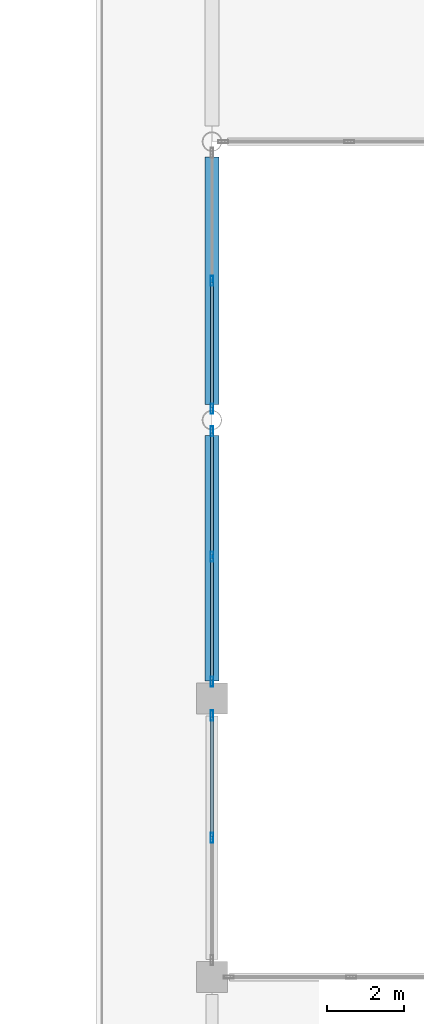
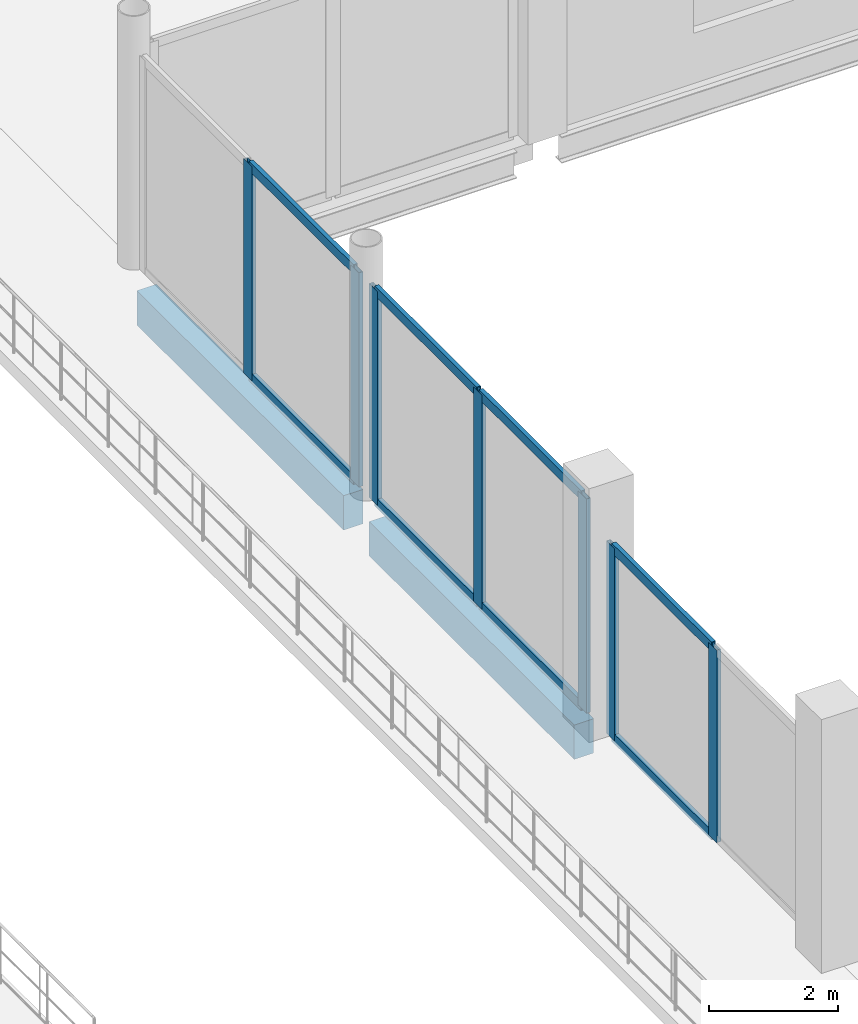
# One storey, part 22 of 99: 15 members, 2 beams, 3 elements without a shape of their own.
"""IFC4 building model written with IfcOpenShell, lengths in metres."""

from ifc_helpers import new_model, si_unit, direction, frame, origin, origin_2d, place, context, subcontext, project, spatial, rectangle, hollow_rectangle, extrude, material, material_profile, profile_set, type_object, element, aggregate, save


model = new_model("IFC4")

# Units and contexts
model_context = context("Model", 3, precision=1e-05, world=origin(), true_north=direction((0.0, 1.0)))
body_context = subcontext(model_context, "Body", "Model", "MODEL_VIEW")
ifc_project = project(units=[si_unit("LENGTHUNIT", "METRE"), si_unit("AREAUNIT", "SQUARE_METRE"), si_unit("VOLUMEUNIT", "CUBIC_METRE"), si_unit("PLANEANGLEUNIT", "RADIAN"), si_unit("MASSUNIT", "GRAM", prefix="KILO")], contexts=[model_context])

# Site, building, storey
site_placement = place(None, origin())
site = spatial("IfcSite", under=ifc_project, at=site_placement, CompositionType="ELEMENT")
building_placement = place(site_placement, origin())
building = spatial("IfcBuilding", under=site, at=building_placement, Name="Vesperath Aquatics Centre", CompositionType="ELEMENT")
storey_placement = place(building_placement, frame((0.0, 0.0, 5.39990234375)))
storey = spatial("IfcBuildingStorey", under=building, at=storey_placement, Name="L01", CompositionType="ELEMENT", Elevation=5.39990234375)

# Beams
ifc_material_1 = material(Name="Concrete C35", Category="concrete")
ifc_material_profile_1 = material_profile(ifc_material_1, rectangle(XDim=0.35009765625, YDim=0.64990234375, at=origin_2d()), Name="RC 350x650")
ifc_profile_set_1 = profile_set([ifc_material_profile_1], Name="Concrete C35")
beam_type = type_object("IfcBeamType", Name="BM-G05", PredefinedType="BEAM", material=ifc_profile_set_1)
beam_1_placement = place(storey_placement, frame((115.199951171875, 50.85009765625, -0.5849609375), z_axis=(0.0, 1.0, 0.0), x_axis=(-1.0, 0.0, 0.0)))
element("IfcBeam", 1, at=beam_1_placement, inside=storey, type_object=beam_type, Name="Floor Girder B05 L01 17 H-J", PredefinedType="BEAM", context=body_context, shape_type="SweptSolid", body=[
    extrude(rectangle(XDim=0.35009765625, YDim=0.64990234375, at=origin_2d()), origin(), (0.0, 0.0, 1.0), 6.349853515625),
])
beam_2_placement = place(storey_placement, frame((115.199951171875, 58.0, -0.5849609375), z_axis=(0.0, 1.0, 0.0), x_axis=(-1.0, 0.0, 0.0)))
element("IfcBeam", 2, at=beam_2_placement, inside=storey, type_object=beam_type, Name="Floor Girder B05 L01 17 J-K", PredefinedType="BEAM", context=body_context, shape_type="SweptSolid", body=[
    extrude(rectangle(XDim=0.35009765625, YDim=0.64990234375, at=origin_2d()), origin(), (0.0, 0.0, 1.0), 6.39990234375),
])

# Curtain wall, members
ifc_material_2 = material(Name="Thermally broken anodised bronze aluminium curtain wall", Category="aluminium")
curtain_wall_type_1 = type_object("IfcCurtainWallType", Name="CW-02", PredefinedType="NOTDEFINED", material=ifc_material_2)
curtain_wall_1_placement = place(storey_placement, origin())
curtain_wall_1 = element("IfcCurtainWall", 3, at=curtain_wall_1_placement, inside=storey, type_object=curtain_wall_type_1, Name="Facade Curtain Wall CW02 L01_E_16_06", PredefinedType="NOTDEFINED")
ifc_material_3 = material(Name="Thermally broken anodised aluminium", Category="aluminium")
ifc_material_profile_2 = material_profile(ifc_material_3, hollow_rectangle(XDim=0.074951171875, YDim=0.260009765625, WallThickness=0.006103515625, at=origin_2d()), Name="CWM 75x260x6")
ifc_profile_set_2 = profile_set([ifc_material_profile_2], Name="Thermally broken anodised aluminium")
member_type_1 = type_object("IfcMemberType", Name="MB-CWM1", PredefinedType="MULLION", material=ifc_profile_set_2)
member_1_placement = place(storey_placement, frame((115.199951171875, 46.800048828125, 0.0), z_axis=(0.0, 0.0, 1.0), x_axis=(-1.0, 0.0, 0.0)))
member_1 = element("IfcMember", 4, at=member_1_placement, type_object=member_type_1, Name="CW02 mullion 2", PredefinedType="MULLION", context=body_context, shape_type="SweptSolid", body=[
    extrude(hollow_rectangle(XDim=0.074951171875, YDim=0.260009765625, WallThickness=0.006103515625, at=origin_2d()), origin(), (0.0, 0.0, 1.0), 3.64013671875),
])
member_2_placement = place(storey_placement, frame((115.199951171875, 49.96240234375, 0.0), z_axis=(0.0, 0.0, 1.0), x_axis=(-1.0, 0.0, 0.0)))
member_2 = element("IfcMember", 5, at=member_2_placement, type_object=member_type_1, Name="CW02 mullion 3", PredefinedType="MULLION", context=body_context, shape_type="SweptSolid", body=[
    extrude(hollow_rectangle(XDim=0.074951171875, YDim=0.260009765625, WallThickness=0.006103515625, at=origin_2d()), origin(), (0.0, 0.0, 1.0), 3.64013671875),
])

curtain_wall_type_2 = type_object("IfcCurtainWallType", Name="CW-06", PredefinedType="NOTDEFINED", material=ifc_material_2)
curtain_wall_2_placement = place(storey_placement, origin())
curtain_wall_2 = element("IfcCurtainWall", 6, at=curtain_wall_2_placement, inside=storey, type_object=curtain_wall_type_2, Name="Facade Curtain Wall CW06 L01_E_16_07", PredefinedType="NOTDEFINED")
member_3_placement = place(storey_placement, frame((115.199951171875, 50.83740234375, 0.0), z_axis=(0.0, 0.0, 1.0), x_axis=(-1.0, 0.0, 0.0)))
member_3 = element("IfcMember", 7, at=member_3_placement, type_object=member_type_1, Name="CW06 mullion 1", PredefinedType="MULLION", context=body_context, shape_type="SweptSolid", body=[
    extrude(hollow_rectangle(XDim=0.074951171875, YDim=0.260009765625, WallThickness=0.006103515625, at=origin_2d()), origin(), (0.0, 0.0, 1.0), 4.052001953125),
])
member_4_placement = place(storey_placement, frame((115.199951171875, 54.072998046875, 0.0), z_axis=(0.0, 0.0, 1.0), x_axis=(-1.0, 0.0, 0.0)))
member_4 = element("IfcMember", 8, at=member_4_placement, type_object=member_type_1, Name="CW06 mullion 2", PredefinedType="MULLION", context=body_context, shape_type="SweptSolid", body=[
    extrude(hollow_rectangle(XDim=0.074951171875, YDim=0.260009765625, WallThickness=0.006103515625, at=origin_2d()), origin(), (0.0, 0.0, 1.0), 4.052001953125),
])
member_5_placement = place(storey_placement, frame((115.199951171875, 57.30859375, 0.0), z_axis=(0.0, 0.0, 1.0), x_axis=(-1.0, 0.0, 0.0)))
member_5 = element("IfcMember", 9, at=member_5_placement, type_object=member_type_1, Name="CW06 mullion 3", PredefinedType="MULLION", context=body_context, shape_type="SweptSolid", body=[
    extrude(hollow_rectangle(XDim=0.074951171875, YDim=0.260009765625, WallThickness=0.006103515625, at=origin_2d()), origin(), (0.0, 0.0, 1.0), 4.052001953125),
])

curtain_wall_3_placement = place(storey_placement, origin())
curtain_wall_3 = element("IfcCurtainWall", 10, at=curtain_wall_3_placement, inside=storey, type_object=curtain_wall_type_2, Name="Facade Curtain Wall CW06 L01_E_16_08", PredefinedType="NOTDEFINED")
member_6_placement = place(storey_placement, frame((115.199951171875, 57.8916015625, 0.0), z_axis=(0.0, 0.0, 1.0), x_axis=(-1.0, 0.0, 0.0)))
member_6 = element("IfcMember", 11, at=member_6_placement, type_object=member_type_1, Name="CW06 mullion 1", PredefinedType="MULLION", context=body_context, shape_type="SweptSolid", body=[
    extrude(hollow_rectangle(XDim=0.074951171875, YDim=0.260009765625, WallThickness=0.006103515625, at=origin_2d()), origin(), (0.0, 0.0, 1.0), 4.052001953125),
])
member_7_placement = place(storey_placement, frame((115.199951171875, 61.199951171875, 0.0), z_axis=(0.0, 0.0, 1.0), x_axis=(-1.0, 0.0, 0.0)))
member_7 = element("IfcMember", 12, at=member_7_placement, type_object=member_type_1, Name="CW06 mullion 2", PredefinedType="MULLION", context=body_context, shape_type="SweptSolid", body=[
    extrude(hollow_rectangle(XDim=0.074951171875, YDim=0.260009765625, WallThickness=0.006103515625, at=origin_2d()), origin(), (0.0, 0.0, 1.0), 4.052001953125),
])

# Member
ifc_material_profile_3 = material_profile(ifc_material_3, hollow_rectangle(XDim=0.074951171875, YDim=0.179931640625, WallThickness=0.0048828125, at=origin_2d()), Name="CWT 75x180x5")
ifc_profile_set_3 = profile_set([ifc_material_profile_3], Name="Thermally broken anodised aluminium")
member_type_2 = type_object("IfcMemberType", Name="MB-CWT1", PredefinedType="USERDEFINED", material=ifc_profile_set_3)
member_8_placement = place(storey_placement, frame((115.199951171875, 46.83740234375, 0.03759765625), z_axis=(0.0, 1.0, 0.0), x_axis=(-1.0, 0.0, 0.0)))
member_8 = element("IfcMember", 13, at=member_8_placement, type_object=member_type_2, Name="CW02 transom 2.1", ObjectType="TRANSOM", PredefinedType="USERDEFINED", context=body_context, shape_type="SweptSolid", body=[
    extrude(hollow_rectangle(XDim=0.074951171875, YDim=0.179931640625, WallThickness=0.0048828125, at=origin_2d()), origin(), (0.0, 0.0, 1.0), 3.087646484375),
])

member_9_placement = place(storey_placement, frame((115.199951171875, 46.83740234375, 3.6025390625), z_axis=(0.0, 1.0, 0.0), x_axis=(-1.0, 0.0, 0.0)))
member_9 = element("IfcMember", 14, at=member_9_placement, type_object=member_type_2, Name="CW02 transom 2.2", ObjectType="TRANSOM", PredefinedType="USERDEFINED", context=body_context, shape_type="SweptSolid", body=[
    extrude(hollow_rectangle(XDim=0.074951171875, YDim=0.179931640625, WallThickness=0.0048828125, at=origin_2d()), origin(), (0.0, 0.0, 1.0), 3.087646484375),
])

aggregate(curtain_wall_1, [member_1, member_2, member_8, member_9])

member_10_placement = place(storey_placement, frame((115.199951171875, 50.875, 0.03759765625), z_axis=(0.0, 1.0, 0.0), x_axis=(-1.0, 0.0, 0.0)))
member_10 = element("IfcMember", 15, at=member_10_placement, type_object=member_type_2, Name="CW06 transom 1.1", ObjectType="TRANSOM", PredefinedType="USERDEFINED", context=body_context, shape_type="SweptSolid", body=[
    extrude(hollow_rectangle(XDim=0.074951171875, YDim=0.179931640625, WallThickness=0.0048828125, at=origin_2d()), origin(), (0.0, 0.0, 1.0), 3.160400390625),
])

member_11_placement = place(storey_placement, frame((115.199951171875, 50.875, 4.0146484375), z_axis=(0.0, 1.0, 0.0), x_axis=(-1.0, 0.0, 0.0)))
member_11 = element("IfcMember", 16, at=member_11_placement, type_object=member_type_2, Name="CW06 transom 1.2", ObjectType="TRANSOM", PredefinedType="USERDEFINED", context=body_context, shape_type="SweptSolid", body=[
    extrude(hollow_rectangle(XDim=0.074951171875, YDim=0.179931640625, WallThickness=0.0048828125, at=origin_2d()), origin(), (0.0, 0.0, 1.0), 3.160400390625),
])

member_12_placement = place(storey_placement, frame((115.199951171875, 54.110595703125, 0.03759765625), z_axis=(0.0, 1.0, 0.0), x_axis=(-1.0, 0.0, 0.0)))
member_12 = element("IfcMember", 17, at=member_12_placement, type_object=member_type_2, Name="CW06 transom 2.1", ObjectType="TRANSOM", PredefinedType="USERDEFINED", context=body_context, shape_type="SweptSolid", body=[
    extrude(hollow_rectangle(XDim=0.074951171875, YDim=0.179931640625, WallThickness=0.0048828125, at=origin_2d()), origin(), (0.0, 0.0, 1.0), 3.160400390625),
])

member_13_placement = place(storey_placement, frame((115.199951171875, 54.110595703125, 4.0146484375), z_axis=(0.0, 1.0, 0.0), x_axis=(-1.0, 0.0, 0.0)))
member_13 = element("IfcMember", 18, at=member_13_placement, type_object=member_type_2, Name="CW06 transom 2.2", ObjectType="TRANSOM", PredefinedType="USERDEFINED", context=body_context, shape_type="SweptSolid", body=[
    extrude(hollow_rectangle(XDim=0.074951171875, YDim=0.179931640625, WallThickness=0.0048828125, at=origin_2d()), origin(), (0.0, 0.0, 1.0), 3.160400390625),
])

aggregate(curtain_wall_2, [member_3, member_4, member_5, member_10, member_11, member_12, member_13])

member_14_placement = place(storey_placement, frame((115.199951171875, 57.928955078125, 0.03759765625), z_axis=(0.0, 1.0, 0.0), x_axis=(-1.0, 0.0, 0.0)))
member_14 = element("IfcMember", 19, at=member_14_placement, type_object=member_type_2, Name="CW06 transom 1.1", ObjectType="TRANSOM", PredefinedType="USERDEFINED", context=body_context, shape_type="SweptSolid", body=[
    extrude(hollow_rectangle(XDim=0.074951171875, YDim=0.179931640625, WallThickness=0.0048828125, at=origin_2d()), origin(), (0.0, 0.0, 1.0), 3.233642578125),
])

member_15_placement = place(storey_placement, frame((115.199951171875, 57.928955078125, 4.0146484375), z_axis=(0.0, 1.0, 0.0), x_axis=(-1.0, 0.0, 0.0)))
member_15 = element("IfcMember", 20, at=member_15_placement, type_object=member_type_2, Name="CW06 transom 1.2", ObjectType="TRANSOM", PredefinedType="USERDEFINED", context=body_context, shape_type="SweptSolid", body=[
    extrude(hollow_rectangle(XDim=0.074951171875, YDim=0.179931640625, WallThickness=0.0048828125, at=origin_2d()), origin(), (0.0, 0.0, 1.0), 3.233642578125),
])

aggregate(curtain_wall_3, [member_6, member_7, member_14, member_15])

save(model, "model.ifc")
